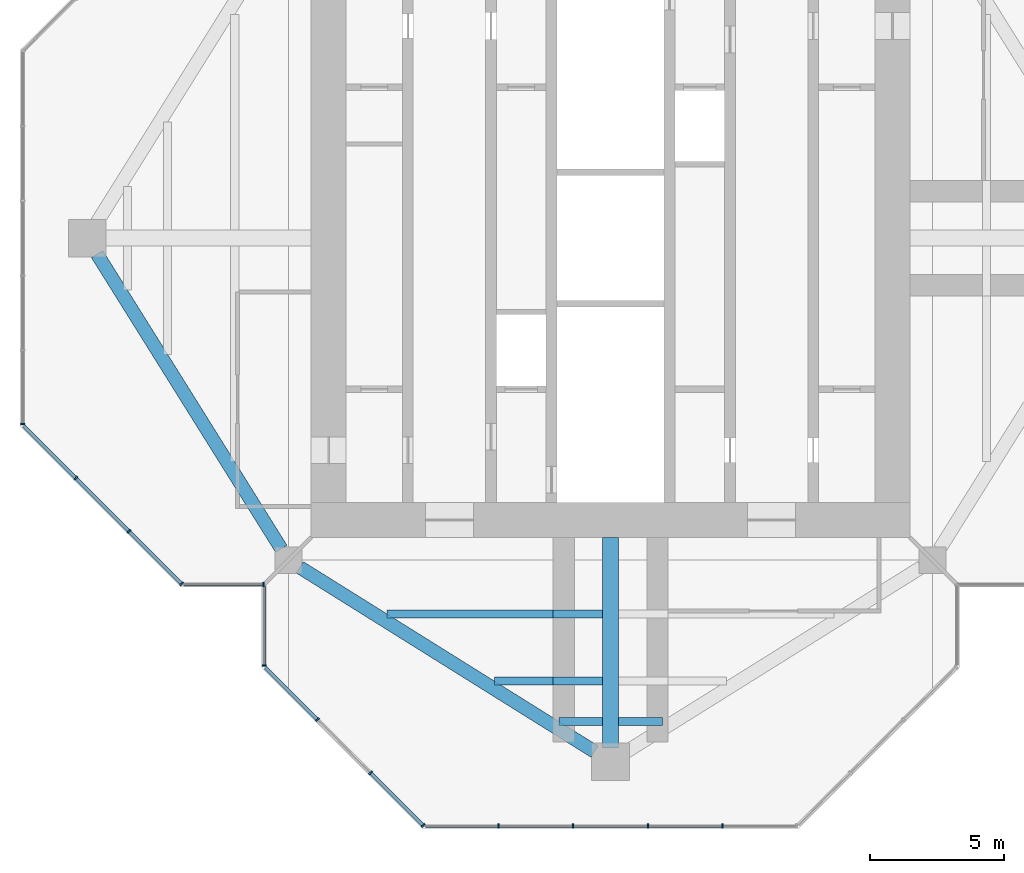
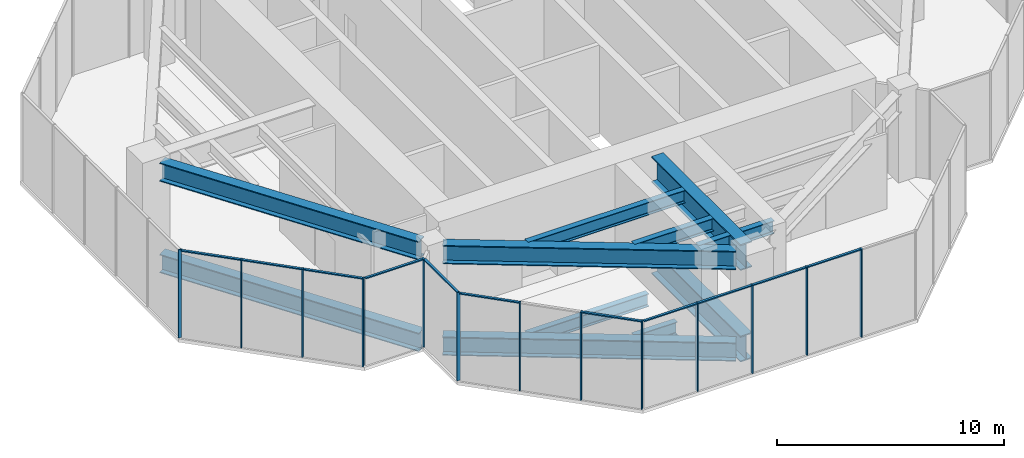
# One storey, part 2 of 10: 24 members, 12 beams, 6 elements without a shape of their own.
"""IFC4 building model written with IfcOpenShell, lengths in metres."""

import ifcopenshell
import ifcopenshell.guid

model = None  # the IFC model being written
_history = None  # IfcOwnerHistory: only IFC2X3 demands one
_inside = {}  # id of a spatial element -> (the spatial element, [elements in it])
_under = {}  # id of a project, library or spatial element -> (it, [spatial elements below it])
_declared = {}  # id of a project -> (the project, [libraries it declares])
_typed = {}  # id of a type object -> (the type object, [elements of that type])
_made_of = {}  # id of a material, layer set ... -> (it, [elements and type objects made of it])


def new_model(schema):
    """Start an empty IFC model of exactly this schema.

    Asked for "IFC4X3", IfcOpenShell would pick the latest addendum, in which some entities
    have other attributes; the version numbers below select the first issue.
    IFC2X3 requires an IfcOwnerHistory on every rooted entity: one is made here for all.
    """
    global model, _history
    if schema == "IFC4X3":
        model = ifcopenshell.file(schema_version=(4, 3, 0, 0))
    else:
        model = ifcopenshell.file(schema=schema)
    _inside.clear()
    _under.clear()
    _declared.clear()
    _typed.clear()
    _made_of.clear()
    _history = None
    if model.schema == "IFC2X3":
        org = make("IfcOrganization", Name="unknown")
        user = make(
            "IfcPersonAndOrganization",
            ThePerson=make("IfcPerson", FamilyName="unknown"),
            TheOrganization=org,
        )
        app = make(
            "IfcApplication",
            ApplicationDeveloper=org,
            Version="unknown",
            ApplicationFullName="unknown",
            ApplicationIdentifier="unknown",
        )
        _history = make(
            "IfcOwnerHistory",
            OwningUser=user,
            OwningApplication=app,
            ChangeAction="ADDED",
            CreationDate=0,
        )
    return model


def make(cls, **values):
    """One entity of the class cls with the attributes given. An attribute that is None is left unset."""
    return model.create_entity(
        cls, **{name: value for name, value in values.items() if value is not None}
    )


def rooted(cls, **values):
    """An entity with a GlobalId (a new one), such as an element, a storey or a relation."""
    return make(cls, GlobalId=ifcopenshell.guid.new(), OwnerHistory=_history, **values)


def si_unit(unit_type, name, prefix=None):
    """IfcSIUnit, for example si_unit("LENGTHUNIT", "METRE", prefix="MILLI")."""
    return make("IfcSIUnit", UnitType=unit_type, Prefix=prefix, Name=name)


def assignment(units):
    """IfcUnitAssignment: the units of a project."""
    return None if units is None else make("IfcUnitAssignment", Units=units)


def point(xyz):
    """IfcCartesianPoint."""
    return None if xyz is None else make("IfcCartesianPoint", Coordinates=xyz)


def direction(xyz):
    """IfcDirection."""
    return None if xyz is None else make("IfcDirection", DirectionRatios=xyz)


def frame(location, z_axis=None, x_axis=None):
    """IfcAxis2Placement3D, a coordinate frame: its origin and axes. An axis left out is left unset."""
    return make(
        "IfcAxis2Placement3D",
        Location=point(location),
        Axis=direction(z_axis),
        RefDirection=direction(x_axis),
    )


def frame_2d(location, x_axis=None):
    """IfcAxis2Placement2D, a coordinate frame in the plane: its origin and x axis."""
    return make(
        "IfcAxis2Placement2D", Location=point(location), RefDirection=direction(x_axis)
    )


def origin():
    """The frame at (0, 0, 0) with its axes left unset."""
    return frame((0.0, 0.0, 0.0))


def origin_2d():
    """The frame at (0, 0) in the plane with its x axis left unset."""
    return frame_2d((0.0, 0.0))


def place(relative_to, where):
    """IfcLocalPlacement: puts the frame where relative to a parent placement (None: the world)."""
    return make(
        "IfcLocalPlacement", PlacementRelTo=relative_to, RelativePlacement=where
    )


def context(
    kind, dimensions, precision=None, world=None, true_north=None, identifier=None
):
    """IfcGeometricRepresentationContext, for example the 3D "Model" context."""
    return make(
        "IfcGeometricRepresentationContext",
        ContextIdentifier=identifier,
        ContextType=kind,
        CoordinateSpaceDimension=dimensions,
        Precision=precision,
        WorldCoordinateSystem=world,
        TrueNorth=true_north,
    )


def subcontext(parent, identifier, kind, view, scale=None):
    """IfcGeometricRepresentationSubContext, for example "Body" below "Model"."""
    return make(
        "IfcGeometricRepresentationSubContext",
        ContextIdentifier=identifier,
        ContextType=kind,
        ParentContext=parent,
        TargetScale=scale,
        TargetView=view,
    )


def project(units=None, contexts=None):
    """IfcProject with its units and contexts."""
    return rooted(
        "IfcProject",
        Name="project",
        RepresentationContexts=contexts,
        UnitsInContext=assignment(units),
    )


def spatial(cls, under=None, at=None, **own):
    """A site, building, storey or space (cls), placed at a placement, below another one or the project."""
    s = rooted(cls, ObjectPlacement=at, **own)
    if under is not None:
        _under.setdefault(under.id(), (under, []))[1].append(s)
    return s


def profile(cls, at=None, kind="AREA", **sizes):
    """A parametric profile (cls). Its sizes go by their IFC names, for example OverallWidth=200.0."""
    return make(cls, ProfileType=kind, Position=at, **sizes)


def rectangle(**sizes):
    """IfcRectangleProfileDef."""
    return profile("IfcRectangleProfileDef", **sizes)


def i_section(**sizes):
    """IfcIShapeProfileDef."""
    return profile("IfcIShapeProfileDef", **sizes)


def extrude(swept, where, along, depth):
    """IfcExtrudedAreaSolid: the profile swept, set in the frame where, extruded along a direction by depth."""
    return make(
        "IfcExtrudedAreaSolid",
        SweptArea=swept,
        Position=where,
        ExtrudedDirection=direction(along),
        Depth=depth,
    )


def shape(context_of_items, identifier, shape_type, items):
    """IfcShapeRepresentation: the items that make up one representation, for example the "Body"."""
    return make(
        "IfcShapeRepresentation",
        ContextOfItems=context_of_items,
        RepresentationIdentifier=identifier,
        RepresentationType=shape_type,
        Items=items,
    )


def material(Name=None, Category=None):
    """IfcMaterial."""
    return make("IfcMaterial", Name=Name, Category=Category)


def material_profile(
    of_material, cross_section, Name=None, Category=None, Priority=None
):
    """IfcMaterialProfile: a cross section and its material."""
    return make(
        "IfcMaterialProfile",
        Name=Name,
        Material=of_material,
        Profile=cross_section,
        Priority=Priority,
        Category=Category,
    )


def profile_set(profiles, Name=None, composite=None):
    """IfcMaterialProfileSet."""
    return make(
        "IfcMaterialProfileSet",
        Name=Name,
        MaterialProfiles=profiles,
        CompositeProfile=composite,
    )


def made_of(thing, what):
    """Note that an element or type object is made of a material, layer set ...; save() writes the relation."""
    if what is not None:
        _made_of.setdefault(what.id(), (what, []))[1].append(thing)
    return thing


def type_object(cls, material=None, **own):
    """A type object (cls), such as IfcWallType, which elements share."""
    return made_of(rooted(cls, **own), material)


def element(
    cls,
    number,
    at=None,
    inside=None,
    cuts=None,
    type_object=None,
    material=None,
    context=None,
    identifier="Body",
    shape_type=None,
    held_by="IfcProductDefinitionShape",
    body=None,
    shapes=None,
    **own,
):
    """One element of the class cls, such as IfcWall. Its Tag is "e" and its number.

    at: its placement. inside: the storey or other place that contains it. cuts: it is an
    opening in that element (IfcRelVoidsElement). A single representation is given by context,
    identifier, shape_type and body (its items); several are given by shapes. held_by: the class
    of the entity that holds the representations. save() writes the other relations.
    """
    e = rooted(cls, Tag="e%d" % number, ObjectPlacement=at, **own)
    if body is not None:
        shapes = [shape(context, identifier, shape_type, body)]
    if shapes is not None:
        e.Representation = make(held_by, Representations=shapes)
    if inside is not None:
        _inside.setdefault(inside.id(), (inside, []))[1].append(e)
    if cuts is not None:
        rooted(
            "IfcRelVoidsElement", RelatingBuildingElement=cuts, RelatedOpeningElement=e
        )
    if type_object is not None:
        _typed.setdefault(type_object.id(), (type_object, []))[1].append(e)
    return made_of(e, material)


def aggregate(whole, parts):
    """IfcRelAggregates: a whole, such as a stair, and the parts it consists of."""
    return rooted("IfcRelAggregates", RelatingObject=whole, RelatedObjects=parts)


def save(model, path):
    """Write the relations noted so far, then the file.

    IfcRelAggregates (storeys below a building ...), IfcRelContainedInSpatialStructure (elements
    in a storey), IfcRelDefinesByType, IfcRelAssociatesMaterial and IfcRelDeclares: one each for
    every whole, place, type object, material and project.
    """
    for whole, parts in _under.values():
        aggregate(whole, parts)
    for where, things in _inside.values():
        rooted(
            "IfcRelContainedInSpatialStructure",
            RelatedElements=things,
            RelatingStructure=where,
        )
    for kind, things in _typed.values():
        rooted("IfcRelDefinesByType", RelatedObjects=things, RelatingType=kind)
    for what, things in _made_of.values():
        rooted("IfcRelAssociatesMaterial", RelatedObjects=things, RelatingMaterial=what)
    for by, libraries in _declared.values():
        rooted("IfcRelDeclares", RelatingContext=by, RelatedDefinitions=libraries)
    model.write(path)


model = new_model("IFC4")

# Units and contexts
model_context = context("Model", 3, precision=1e-05, world=origin(), true_north=direction((0.0, 1.0)))
body_context = subcontext(model_context, "Body", "Model", "MODEL_VIEW")
ifc_project = project(units=[si_unit("LENGTHUNIT", "METRE"), si_unit("AREAUNIT", "SQUARE_METRE"), si_unit("VOLUMEUNIT", "CUBIC_METRE"), si_unit("PLANEANGLEUNIT", "RADIAN"), si_unit("MASSUNIT", "GRAM", prefix="KILO")], contexts=[model_context])

# Site, building, storey
site_placement = place(None, origin())
site = spatial("IfcSite", under=ifc_project, at=site_placement, CompositionType="ELEMENT")
building_placement = place(site_placement, origin())
building = spatial("IfcBuilding", under=site, at=building_placement, Name="Mizan Broadcast Tower", CompositionType="ELEMENT")
storey_placement = place(building_placement, frame((0.0, 0.0, 311.300048828125)))
storey = spatial("IfcBuildingStorey", under=building, at=storey_placement, Name="L74", CompositionType="ELEMENT", Elevation=311.300048828125)

# Beams
ifc_material_1 = material(Name="Steel S460", Category="steel")
ifc_material_profile_1 = material_profile(ifc_material_1, i_section(OverallWidth=0.5, OverallDepth=1.0, WebThickness=0.02490234375, FlangeThickness=0.050048828125, at=origin_2d()), Name="WPG 1000x500")
ifc_profile_set_1 = profile_set([ifc_material_profile_1], Name="Steel S460")
beam_type_1 = type_object("IfcBeamType", Name="GIRDER WPG 1000x500", PredefinedType="BEAM", material=ifc_profile_set_1)
for number, where, z_axis, x_axis, name in (
    (1, (-12.264892578125, -11.575927734375, -0.679931640625), (-0.529998940003, 0.847998304005, 0.0), (-0.847998304005, -0.529998940003, 0.0), "Girder WPG 1000x500 L74 west arm"),
    (2, (-11.575927734375, -12.264892578125, -0.679931640625), (0.847998304005, -0.529998940003, 0.0), (0.529998940003, 0.847998304005, 0.0), "Girder WPG 1000x500 L74 south arm"),
    (3, (-12.264892578125, -11.575927734375, 4.25), (-0.529998940003, 0.847998304005, 0.0), (-0.847998304005, -0.529998940003, 0.0), "Girder WPG 1000x500 L74 west arm"),
    (4, (-11.575927734375, -12.264892578125, 4.25), (0.847998304005, -0.529998940003, 0.0), (0.529998940003, 0.847998304005, 0.0), "Girder WPG 1000x500 L74 south arm"),
):
    element("IfcBeam", number, at=place(storey_placement, frame(where, z_axis=z_axis, x_axis=x_axis)), inside=storey, type_object=beam_type_1, Name=name, PredefinedType="BEAM", context=body_context, shape_type="SweptSolid", body=[
        extrude(i_section(OverallWidth=0.5, OverallDepth=1.0, WebThickness=0.02490234375, FlangeThickness=0.050048828125, at=origin_2d()), origin(), (0.0, 0.0, 1.0), 12.950927734375),
    ])
ifc_material_2 = material(Name="Steel S460", Category="steel")
ifc_material_profile_2 = material_profile(ifc_material_2, i_section(OverallWidth=0.60009765625, OverallDepth=1.39990234375, WebThickness=0.02490234375, FlangeThickness=0.06005859375, at=origin_2d()), Name="WPG 1400x600")
ifc_profile_set_2 = profile_set([ifc_material_profile_2], Name="Steel S460")
beam_type_2 = type_object("IfcBeamType", Name="GIRDER WPG 1400x600", PredefinedType="BEAM", material=ifc_profile_set_2)
for number, where, z_axis, x_axis, name in (
    (5, (0.0, -11.14990234375, -0.880126953125), (0.0, -1.0, 0.0), (1.0, 0.0, 0.0), "Girder WPG 1400x600 L74 south arm"),
    (6, (0.0, -11.14990234375, 4.050048828125), (0.0, -1.0, 0.0), (1.0, 0.0, 0.0), "Girder WPG 1400x600 L74 south arm"),
):
    element("IfcBeam", number, at=place(storey_placement, frame(where, z_axis=z_axis, x_axis=x_axis)), inside=storey, type_object=beam_type_2, Name=name, PredefinedType="BEAM", context=body_context, shape_type="SweptSolid", body=[
        extrude(i_section(OverallWidth=0.60009765625, OverallDepth=1.39990234375, WebThickness=0.02490234375, FlangeThickness=0.06005859375, at=origin_2d()), origin(), (0.0, 0.0, 1.0), 7.84912109375),
    ])

# Curtain wall, member
ifc_material_3 = material(Name="Aluminium framed glazing", Category="aluminium")
curtain_wall_type = type_object("IfcCurtainWallType", Name="LANTERN", PredefinedType="USERDEFINED", material=ifc_material_3)
curtain_wall_1_placement = place(storey_placement, origin())
curtain_wall_1 = element("IfcCurtainWall", 7, at=curtain_wall_1_placement, inside=storey, type_object=curtain_wall_type, Name="Lantern L74 W end", ObjectType="LANTERN", PredefinedType="USERDEFINED")
ifc_material_4 = material(Name="Aluminium, pale anodised", Category="aluminium")
ifc_material_profile_3 = material_profile(ifc_material_4, rectangle(XDim=0.159912109375, YDim=0.06005859375, at=origin_2d()), Name="MULLION 160x60")
ifc_profile_set_3 = profile_set([ifc_material_profile_3], Name="Aluminium, pale anodised")
member_type_1 = type_object("IfcMemberType", Name="INNER SKIN MULLION 60x160", PredefinedType="MULLION", material=ifc_profile_set_3)
member_1_placement = place(storey_placement, frame((-21.89990234375, -6.928466796875, 0.0), z_axis=(0.0, 0.0, 1.0), x_axis=(1.0, 0.0, 0.0)))
member_1 = element("IfcMember", 8, at=member_1_placement, type_object=member_type_1, Name="Lantern L74 W end mullion 6", PredefinedType="MULLION", context=body_context, shape_type="SweptSolid", body=[
    extrude(rectangle(XDim=0.159912109375, YDim=0.06005859375, at=origin_2d()), origin(), (0.0, 0.0, 1.0), 4.75),
])
aggregate(curtain_wall_1, [member_1])

# Curtain wall, members
curtain_wall_2_placement = place(storey_placement, origin())
curtain_wall_2 = element("IfcCurtainWall", 9, at=curtain_wall_2_placement, inside=storey, type_object=curtain_wall_type, Name="Lantern L74 W chamfer", ObjectType="LANTERN", PredefinedType="USERDEFINED")
member_2_placement = place(storey_placement, frame((-19.91943359375, -8.93896484375, 0.0), z_axis=(0.0, 0.0, 1.0), x_axis=(0.707106781187, 0.707106781187, 0.0)))
member_2 = element("IfcMember", 10, at=member_2_placement, type_object=member_type_1, Name="Lantern L74 W chamfer mullion 2", PredefinedType="MULLION", context=body_context, shape_type="SweptSolid", body=[
    extrude(rectangle(XDim=0.159912109375, YDim=0.06005859375, at=origin_2d()), origin(), (0.0, 0.0, 1.0), 4.75),
])
member_3_placement = place(storey_placement, frame((-17.93896484375, -10.91943359375, 0.0), z_axis=(0.0, 0.0, 1.0), x_axis=(0.707106781187, 0.707106781187, 0.0)))
member_3 = element("IfcMember", 11, at=member_3_placement, type_object=member_type_1, Name="Lantern L74 W chamfer mullion 3", PredefinedType="MULLION", context=body_context, shape_type="SweptSolid", body=[
    extrude(rectangle(XDim=0.159912109375, YDim=0.06005859375, at=origin_2d()), origin(), (0.0, 0.0, 1.0), 4.75),
])
member_4_placement = place(storey_placement, frame((-15.979736328125, -12.87890625, 0.0), z_axis=(0.0, 0.0, 1.0), x_axis=(0.707106781187, 0.707106781187, 0.0)))
member_4 = element("IfcMember", 12, at=member_4_placement, type_object=member_type_1, Name="Lantern L74 W chamfer mullion 4", PredefinedType="MULLION", context=body_context, shape_type="SweptSolid", body=[
    extrude(rectangle(XDim=0.159912109375, YDim=0.06005859375, at=origin_2d()), origin(), (0.0, 0.0, 1.0), 4.75),
])

# Curtain wall, member
curtain_wall_3_placement = place(storey_placement, origin())
curtain_wall_3 = element("IfcCurtainWall", 13, at=curtain_wall_3_placement, inside=storey, type_object=curtain_wall_type, Name="Lantern L74 W side", ObjectType="LANTERN", PredefinedType="USERDEFINED")
member_5_placement = place(storey_placement, frame((-12.929931640625, -12.89990234375, 0.0), z_axis=(0.0, 0.0, 1.0), x_axis=(0.0, 1.0, 0.0)))
member_5 = element("IfcMember", 14, at=member_5_placement, type_object=member_type_1, Name="Lantern L74 W side mullion 2", PredefinedType="MULLION", context=body_context, shape_type="SweptSolid", body=[
    extrude(rectangle(XDim=0.159912109375, YDim=0.06005859375, at=origin_2d()), origin(), (0.0, 0.0, 1.0), 4.75),
])

curtain_wall_4_placement = place(storey_placement, origin())
curtain_wall_4 = element("IfcCurtainWall", 15, at=curtain_wall_4_placement, inside=storey, type_object=curtain_wall_type, Name="Lantern L74 S side", ObjectType="LANTERN", PredefinedType="USERDEFINED")
member_6_placement = place(storey_placement, frame((-12.89990234375, -15.928466796875, 0.0), z_axis=(0.0, 0.0, 1.0), x_axis=(1.0, 0.0, 0.0)))
member_6 = element("IfcMember", 16, at=member_6_placement, type_object=member_type_1, Name="Lantern L74 S side mullion 2", PredefinedType="MULLION", context=body_context, shape_type="SweptSolid", body=[
    extrude(rectangle(XDim=0.159912109375, YDim=0.06005859375, at=origin_2d()), origin(), (0.0, 0.0, 1.0), 4.75),
])

# Curtain wall, members
curtain_wall_5_placement = place(storey_placement, origin())
curtain_wall_5 = element("IfcCurtainWall", 17, at=curtain_wall_5_placement, inside=storey, type_object=curtain_wall_type, Name="Lantern L74 S chamfer", ObjectType="LANTERN", PredefinedType="USERDEFINED")
member_7_placement = place(storey_placement, frame((-10.91943359375, -17.93896484375, 0.0), z_axis=(0.0, 0.0, 1.0), x_axis=(0.707106781187, 0.707106781187, 0.0)))
member_7 = element("IfcMember", 18, at=member_7_placement, type_object=member_type_1, Name="Lantern L74 S chamfer mullion 2", PredefinedType="MULLION", context=body_context, shape_type="SweptSolid", body=[
    extrude(rectangle(XDim=0.159912109375, YDim=0.06005859375, at=origin_2d()), origin(), (0.0, 0.0, 1.0), 4.75),
])
member_8_placement = place(storey_placement, frame((-8.93896484375, -19.91943359375, 0.0), z_axis=(0.0, 0.0, 1.0), x_axis=(0.707106781187, 0.707106781187, 0.0)))
member_8 = element("IfcMember", 19, at=member_8_placement, type_object=member_type_1, Name="Lantern L74 S chamfer mullion 3", PredefinedType="MULLION", context=body_context, shape_type="SweptSolid", body=[
    extrude(rectangle(XDim=0.159912109375, YDim=0.06005859375, at=origin_2d()), origin(), (0.0, 0.0, 1.0), 4.75),
])
member_9_placement = place(storey_placement, frame((-6.979736328125, -21.87890625, 0.0), z_axis=(0.0, 0.0, 1.0), x_axis=(0.707106781187, 0.707106781187, 0.0)))
member_9 = element("IfcMember", 20, at=member_9_placement, type_object=member_type_1, Name="Lantern L74 S chamfer mullion 4", PredefinedType="MULLION", context=body_context, shape_type="SweptSolid", body=[
    extrude(rectangle(XDim=0.159912109375, YDim=0.06005859375, at=origin_2d()), origin(), (0.0, 0.0, 1.0), 4.75),
])

curtain_wall_6_placement = place(storey_placement, origin())
curtain_wall_6 = element("IfcCurtainWall", 21, at=curtain_wall_6_placement, inside=storey, type_object=curtain_wall_type, Name="Lantern L74 S end", ObjectType="LANTERN", PredefinedType="USERDEFINED")
member_10_placement = place(storey_placement, frame((-4.175048828125, -21.89990234375, 0.0), z_axis=(0.0, 0.0, 1.0), x_axis=(0.0, 1.0, 0.0)))
member_10 = element("IfcMember", 22, at=member_10_placement, type_object=member_type_1, Name="Lantern L74 S end mullion 2", PredefinedType="MULLION", context=body_context, shape_type="SweptSolid", body=[
    extrude(rectangle(XDim=0.159912109375, YDim=0.06005859375, at=origin_2d()), origin(), (0.0, 0.0, 1.0), 4.75),
])
member_11_placement = place(storey_placement, frame((-1.3916015625, -21.89990234375, 0.0), z_axis=(0.0, 0.0, 1.0), x_axis=(0.0, 1.0, 0.0)))
member_11 = element("IfcMember", 23, at=member_11_placement, type_object=member_type_1, Name="Lantern L74 S end mullion 3", PredefinedType="MULLION", context=body_context, shape_type="SweptSolid", body=[
    extrude(rectangle(XDim=0.159912109375, YDim=0.06005859375, at=origin_2d()), origin(), (0.0, 0.0, 1.0), 4.75),
])
member_12_placement = place(storey_placement, frame((1.3916015625, -21.89990234375, 0.0), z_axis=(0.0, 0.0, 1.0), x_axis=(0.0, 1.0, 0.0)))
member_12 = element("IfcMember", 24, at=member_12_placement, type_object=member_type_1, Name="Lantern L74 S end mullion 4", PredefinedType="MULLION", context=body_context, shape_type="SweptSolid", body=[
    extrude(rectangle(XDim=0.159912109375, YDim=0.06005859375, at=origin_2d()), origin(), (0.0, 0.0, 1.0), 4.75),
])
member_13_placement = place(storey_placement, frame((4.175048828125, -21.89990234375, 0.0), z_axis=(0.0, 0.0, 1.0), x_axis=(0.0, 1.0, 0.0)))
member_13 = element("IfcMember", 25, at=member_13_placement, type_object=member_type_1, Name="Lantern L74 S end mullion 5", PredefinedType="MULLION", context=body_context, shape_type="SweptSolid", body=[
    extrude(rectangle(XDim=0.159912109375, YDim=0.06005859375, at=origin_2d()), origin(), (0.0, 0.0, 1.0), 4.75),
])

# Member
ifc_material_5 = material(Name="Aluminium, pale anodised", Category="aluminium")
ifc_material_profile_4 = material_profile(ifc_material_5, rectangle(XDim=0.1201171875, YDim=0.06005859375, at=origin_2d()), Name="TRANSOM 120x60")
ifc_profile_set_4 = profile_set([ifc_material_profile_4], Name="Aluminium, pale anodised")
member_type_2 = type_object("IfcMemberType", Name="INNER SKIN TRANSOM 60x120", PredefinedType="USERDEFINED", material=ifc_profile_set_4)
member_14_placement = place(storey_placement, frame((-21.857666015625, -7.0009765625, 4.719970703125), z_axis=(0.707151809797, -0.707061749709, 0.0), x_axis=(0.707061749709, 0.707151809797, 0.0)))
member_14 = element("IfcMember", 26, at=member_14_placement, type_object=member_type_2, Name="Lantern L74 W chamfer transom 1.1", ObjectType="TRANSOM", PredefinedType="USERDEFINED", context=body_context, shape_type="SweptSolid", body=[
    extrude(rectangle(XDim=0.1201171875, YDim=0.06005859375, at=origin_2d()), origin(), (0.0, 0.0, 1.0), 2.7109375),
])

member_15_placement = place(storey_placement, frame((-19.898193359375, -8.960205078125, 4.719970703125), z_axis=(0.707106781187, -0.707106781187, 0.0), x_axis=(0.707106781187, 0.707106781187, 0.0)))
member_15 = element("IfcMember", 27, at=member_15_placement, type_object=member_type_2, Name="Lantern L74 W chamfer transom 2.1", ObjectType="TRANSOM", PredefinedType="USERDEFINED", context=body_context, shape_type="SweptSolid", body=[
    extrude(rectangle(XDim=0.1201171875, YDim=0.06005859375, at=origin_2d()), origin(), (0.0, 0.0, 1.0), 2.74072265625),
])

member_16_placement = place(storey_placement, frame((-17.917724609375, -10.940673828125, 4.719970703125), z_axis=(0.707061749709, -0.707151809797, 0.0), x_axis=(0.707151809797, 0.707061749709, 0.0)))
member_16 = element("IfcMember", 28, at=member_16_placement, type_object=member_type_2, Name="Lantern L74 W chamfer transom 3.1", ObjectType="TRANSOM", PredefinedType="USERDEFINED", context=body_context, shape_type="SweptSolid", body=[
    extrude(rectangle(XDim=0.1201171875, YDim=0.06005859375, at=origin_2d()), origin(), (0.0, 0.0, 1.0), 2.7109375),
])

aggregate(curtain_wall_2, [member_2, member_3, member_4, member_14, member_15, member_16])

member_17_placement = place(storey_placement, frame((-15.898681640625, -12.89990234375, 4.719970703125), z_axis=(1.0, 0.0, 0.0), x_axis=(0.0, 1.0, 0.0)))
member_17 = element("IfcMember", 29, at=member_17_placement, type_object=member_type_2, Name="Lantern L74 W side transom 1.1", ObjectType="TRANSOM", PredefinedType="USERDEFINED", context=body_context, shape_type="SweptSolid", body=[
    extrude(rectangle(XDim=0.1201171875, YDim=0.06005859375, at=origin_2d()), origin(), (0.0, 0.0, 1.0), 2.938720703125),
])

aggregate(curtain_wall_3, [member_5, member_17])

member_18_placement = place(storey_placement, frame((-12.89990234375, -12.9599609375, 4.719970703125), z_axis=(0.0, -1.0, 0.0), x_axis=(1.0, 0.0, 0.0)))
member_18 = element("IfcMember", 30, at=member_18_placement, type_object=member_type_2, Name="Lantern L74 S side transom 1.1", ObjectType="TRANSOM", PredefinedType="USERDEFINED", context=body_context, shape_type="SweptSolid", body=[
    extrude(rectangle(XDim=0.1201171875, YDim=0.06005859375, at=origin_2d()), origin(), (0.0, 0.0, 1.0), 2.938720703125),
])

aggregate(curtain_wall_4, [member_6, member_18])

member_19_placement = place(storey_placement, frame((-12.857666015625, -16.0009765625, 4.719970703125), z_axis=(0.707151809797, -0.707061749709, 0.0), x_axis=(0.707061749709, 0.707151809797, 0.0)))
member_19 = element("IfcMember", 31, at=member_19_placement, type_object=member_type_2, Name="Lantern L74 S chamfer transom 1.1", ObjectType="TRANSOM", PredefinedType="USERDEFINED", context=body_context, shape_type="SweptSolid", body=[
    extrude(rectangle(XDim=0.1201171875, YDim=0.06005859375, at=origin_2d()), origin(), (0.0, 0.0, 1.0), 2.7109375),
])

member_20_placement = place(storey_placement, frame((-8.917724609375, -19.940673828125, 4.719970703125), z_axis=(0.707061749709, -0.707151809797, 0.0), x_axis=(0.707151809797, 0.707061749709, 0.0)))
member_20 = element("IfcMember", 32, at=member_20_placement, type_object=member_type_2, Name="Lantern L74 S chamfer transom 3.1", ObjectType="TRANSOM", PredefinedType="USERDEFINED", context=body_context, shape_type="SweptSolid", body=[
    extrude(rectangle(XDim=0.1201171875, YDim=0.06005859375, at=origin_2d()), origin(), (0.0, 0.0, 1.0), 2.7109375),
])

aggregate(curtain_wall_5, [member_7, member_8, member_9, member_19, member_20])

member_21_placement = place(storey_placement, frame((-6.898681640625, -21.89990234375, 4.719970703125), z_axis=(1.0, 0.0, 0.0), x_axis=(0.0, 1.0, 0.0)))
member_21 = element("IfcMember", 33, at=member_21_placement, type_object=member_type_2, Name="Lantern L74 S end transom 1.1", ObjectType="TRANSOM", PredefinedType="USERDEFINED", context=body_context, shape_type="SweptSolid", body=[
    extrude(rectangle(XDim=0.1201171875, YDim=0.06005859375, at=origin_2d()), origin(), (0.0, 0.0, 1.0), 2.693603515625),
])

member_22_placement = place(storey_placement, frame((-4.145263671875, -21.89990234375, 4.719970703125), z_axis=(1.0, 0.0, 0.0), x_axis=(0.0, 1.0, 0.0)))
member_22 = element("IfcMember", 34, at=member_22_placement, type_object=member_type_2, Name="Lantern L74 S end transom 2.1", ObjectType="TRANSOM", PredefinedType="USERDEFINED", context=body_context, shape_type="SweptSolid", body=[
    extrude(rectangle(XDim=0.1201171875, YDim=0.06005859375, at=origin_2d()), origin(), (0.0, 0.0, 1.0), 2.7236328125),
])

member_23_placement = place(storey_placement, frame((-1.36181640625, -21.89990234375, 4.719970703125), z_axis=(1.0, 0.0, 0.0), x_axis=(0.0, 1.0, 0.0)))
member_23 = element("IfcMember", 35, at=member_23_placement, type_object=member_type_2, Name="Lantern L74 S end transom 3.1", ObjectType="TRANSOM", PredefinedType="USERDEFINED", context=body_context, shape_type="SweptSolid", body=[
    extrude(rectangle(XDim=0.1201171875, YDim=0.06005859375, at=origin_2d()), origin(), (0.0, 0.0, 1.0), 2.7236328125),
])

member_24_placement = place(storey_placement, frame((1.421630859375, -21.89990234375, 4.719970703125), z_axis=(1.0, 0.0, 0.0), x_axis=(0.0, 1.0, 0.0)))
member_24 = element("IfcMember", 36, at=member_24_placement, type_object=member_type_2, Name="Lantern L74 S end transom 4.1", ObjectType="TRANSOM", PredefinedType="USERDEFINED", context=body_context, shape_type="SweptSolid", body=[
    extrude(rectangle(XDim=0.1201171875, YDim=0.06005859375, at=origin_2d()), origin(), (0.0, 0.0, 1.0), 2.7236328125),
])

aggregate(curtain_wall_6, [member_10, member_11, member_12, member_13, member_21, member_22, member_23, member_24])

# Beams
ifc_material_6 = material(Name="Steel S355", Category="steel")
ifc_material_profile_5 = material_profile(ifc_material_6, i_section(OverallWidth=0.300048828125, OverallDepth=0.68994140625, WebThickness=0.014404296875, FlangeThickness=0.027099609375, FilletRadius=0.027099609375, at=origin_2d()), Name="HEA 700")
ifc_profile_set_5 = profile_set([ifc_material_profile_5], Name="Steel S355")
beam_type_3 = type_object("IfcBeamType", Name="SECONDARY BEAM HEA 700", PredefinedType="JOIST", material=ifc_profile_set_5)
beam_1_placement = place(storey_placement, frame((-8.328369140625, -14.0, -0.525146484375), z_axis=(1.0, 0.0, 0.0), x_axis=(0.0, 1.0, 0.0)))
element("IfcBeam", 37, at=beam_1_placement, inside=storey, type_object=beam_type_3, Name="Secondary beam HEA 700 L74 south arm", PredefinedType="JOIST", context=body_context, shape_type="SweptSolid", body=[
    extrude(i_section(OverallWidth=0.300048828125, OverallDepth=0.68994140625, WebThickness=0.014404296875, FlangeThickness=0.027099609375, FilletRadius=0.027099609375, at=origin_2d()), origin(), (0.0, 0.0, 1.0), 6.178466796875),
])
beam_2_placement = place(storey_placement, frame((-4.328369140625, -16.5, -0.525146484375), z_axis=(1.0, 0.0, 0.0), x_axis=(0.0, 1.0, 0.0)))
element("IfcBeam", 38, at=beam_2_placement, inside=storey, type_object=beam_type_3, Name="Secondary beam HEA 700 L74 south arm", PredefinedType="JOIST", context=body_context, shape_type="SweptSolid", body=[
    extrude(i_section(OverallWidth=0.300048828125, OverallDepth=0.68994140625, WebThickness=0.014404296875, FlangeThickness=0.027099609375, FilletRadius=0.027099609375, at=origin_2d()), origin(), (0.0, 0.0, 1.0), 2.178466796875),
])
beam_3_placement = place(storey_placement, frame((-8.328369140625, -14.0, 4.405029296875), z_axis=(1.0, 0.0, 0.0), x_axis=(0.0, 1.0, 0.0)))
element("IfcBeam", 39, at=beam_3_placement, inside=storey, type_object=beam_type_3, Name="Secondary beam HEA 700 L74 south arm", PredefinedType="JOIST", context=body_context, shape_type="SweptSolid", body=[
    extrude(i_section(OverallWidth=0.300048828125, OverallDepth=0.68994140625, WebThickness=0.014404296875, FlangeThickness=0.027099609375, FilletRadius=0.027099609375, at=origin_2d()), origin(), (0.0, 0.0, 1.0), 8.0283203125),
])
beam_4_placement = place(storey_placement, frame((-4.328369140625, -16.5, 4.405029296875), z_axis=(1.0, 0.0, 0.0), x_axis=(0.0, 1.0, 0.0)))
element("IfcBeam", 40, at=beam_4_placement, inside=storey, type_object=beam_type_3, Name="Secondary beam HEA 700 L74 south arm", PredefinedType="JOIST", context=body_context, shape_type="SweptSolid", body=[
    extrude(i_section(OverallWidth=0.300048828125, OverallDepth=0.68994140625, WebThickness=0.014404296875, FlangeThickness=0.027099609375, FilletRadius=0.027099609375, at=origin_2d()), origin(), (0.0, 0.0, 1.0), 4.0283203125),
])
for number, where, z_axis, x_axis, name in (
    (41, (-1.92822265625, -18.0, 4.405029296875), (1.0, 0.0, 0.0), (0.0, 1.0, 0.0), "Secondary beam HEA 700 L74 south arm"),
    (42, (1.92822265625, -18.0, 4.405029296875), (-1.0, 0.0, 0.0), (0.0, -1.0, 0.0), "Secondary beam HEA 700 L74 south arm"),
):
    element("IfcBeam", number, at=place(storey_placement, frame(where, z_axis=z_axis, x_axis=x_axis)), inside=storey, type_object=beam_type_3, Name=name, PredefinedType="JOIST", context=body_context, shape_type="SweptSolid", body=[
        extrude(i_section(OverallWidth=0.300048828125, OverallDepth=0.68994140625, WebThickness=0.014404296875, FlangeThickness=0.027099609375, FilletRadius=0.027099609375, at=origin_2d()), origin(), (0.0, 0.0, 1.0), 1.628173828125),
    ])

save(model, "model.ifc")
